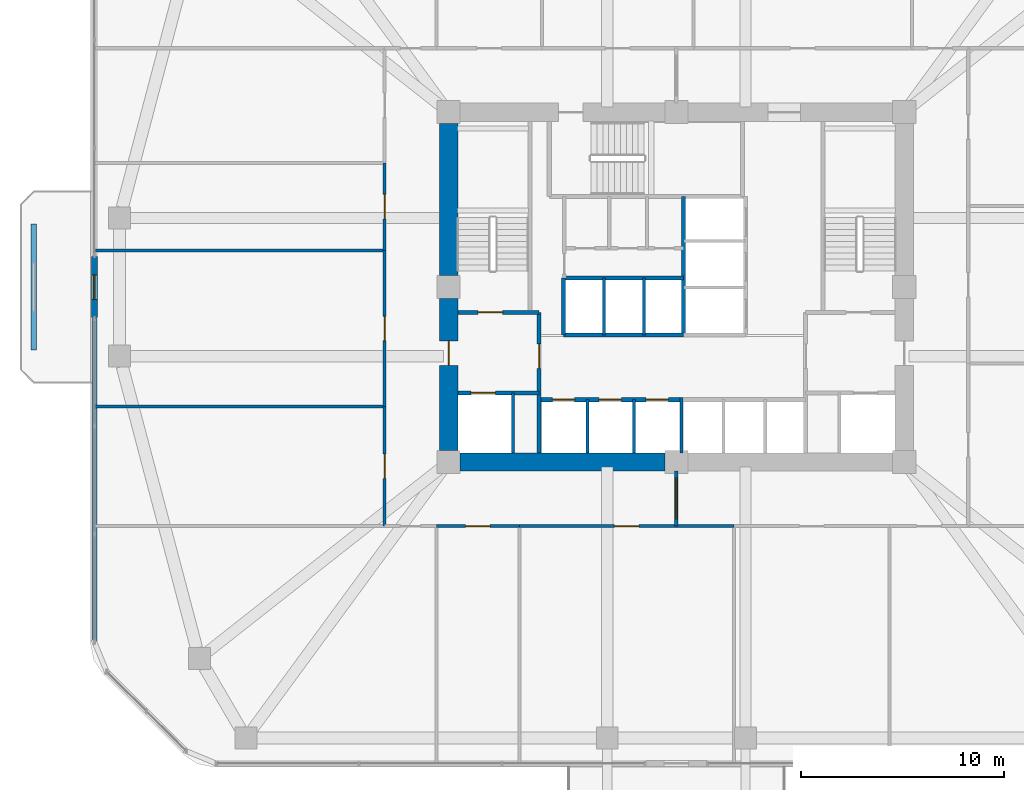
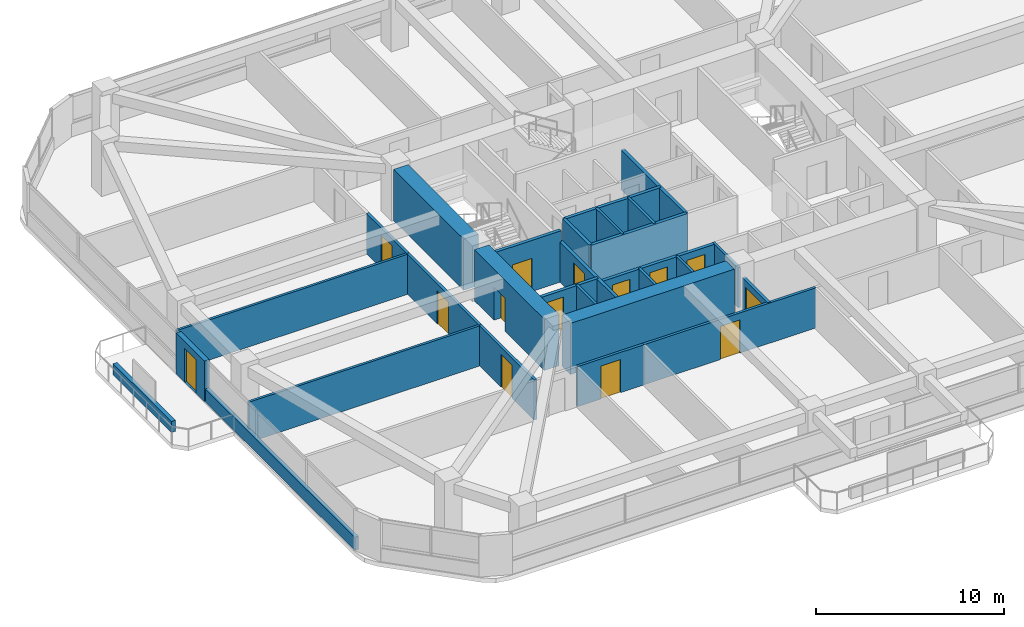
# One storey, part 9 of 13: 28 walls, 14 doors, 14 openings.
"""IFC4 building model written with IfcOpenShell, lengths in metres."""

from ifc_helpers import new_model, si_unit, derived_unit, direction, frame, frame_2d, origin, place, context, subcontext, project, spatial, rectangle, extrude, material, layer, layer_set, type_object, element, fill, save


model = new_model("IFC4")

# Units and contexts
model_context = context("Model", 3, precision=1e-05, world=origin(), true_north=direction((0.0, 1.0)))
body_context = subcontext(model_context, "Body", "Model", "MODEL_VIEW")
ifc_project = project(units=[si_unit("LENGTHUNIT", "METRE"), si_unit("AREAUNIT", "SQUARE_METRE"), si_unit("VOLUMEUNIT", "CUBIC_METRE"), si_unit("PLANEANGLEUNIT", "RADIAN"), si_unit("MASSUNIT", "GRAM", prefix="KILO"), derived_unit("THERMALTRANSMITTANCEUNIT", [(si_unit("POWERUNIT", "WATT"), 1), (si_unit("LENGTHUNIT", "METRE"), -2), (si_unit("THERMODYNAMICTEMPERATUREUNIT", "KELVIN"), -1)])], contexts=[model_context])

# Site, building, storey
site_placement = place(None, origin())
site = spatial("IfcSite", under=ifc_project, at=site_placement, CompositionType="ELEMENT")
building_placement = place(site_placement, origin())
building = spatial("IfcBuilding", under=site, at=building_placement, Name="Koralith Skygarden Medical Center", CompositionType="ELEMENT")
storey_placement = place(building_placement, frame((0.0, 0.0, 49.139892578125)))
storey = spatial("IfcBuildingStorey", under=building, at=storey_placement, Name="L12", CompositionType="ELEMENT", Elevation=49.139892578125)

# Walls
ifc_material_1 = material(Name="Gypsum Board Partition")
ifc_layer_1 = layer(ifc_material_1, 0.14990234375)
ifc_layer_set_1 = layer_set([ifc_layer_1], Name="Gypsum Board Partition")
wall_type_1 = type_object("IfcWallType", Name="Clinical Acoustic Partition 150", PredefinedType="PARTITIONING", material=ifc_layer_set_1)
for number, where, z_axis, x_axis, name in (
    (1, (22.64990234375, 20.02490234375, 0.0), (0.0, 0.0, 1.0), (-1.0, 0.0, 0.0), "L12 Clinical Acoustic Partition 150 W-PART-L12-W-01"),
    (2, (22.64990234375, 27.699951171875, 0.0), (0.0, 0.0, 1.0), (-1.0, 0.0, 0.0), "L12 Clinical Acoustic Partition 150 W-PART-L12-W-02"),
):
    element("IfcWall", number, at=place(storey_placement, frame(where, z_axis=z_axis, x_axis=x_axis)), inside=storey, type_object=wall_type_1, Name=name, PredefinedType="PARTITIONING", context=body_context, shape_type="SweptSolid", body=[
        extrude(rectangle(XDim=14.25, YDim=0.14990234375, at=frame_2d((7.125, 0.0))), origin(), (0.0, 0.0, 1.0), 2.610107421875),
    ])

# Wall, opening, door
ifc_layer_2 = layer(ifc_material_1, 0.1650390625)
ifc_layer_set_2 = layer_set([ifc_layer_2], Name="Gypsum Board Partition")
wall_type_2 = type_object("IfcWallType", Name="Clinical Corridor Partition 165", PredefinedType="PARTITIONING", material=ifc_layer_set_2)
wall_1_placement = place(storey_placement, frame((25.199951171875, 14.14990234375, 0.0), z_axis=(0.0, 0.0, 1.0), x_axis=(1.0, 0.0, 0.0)))
wall_1 = element("IfcWall", 3, at=wall_1_placement, inside=storey, type_object=wall_type_2, Name="L12 Clinical Corridor Partition 165 W-CORR-L12-S-02", PredefinedType="PARTITIONING", context=body_context, shape_type="SweptSolid", body=[
    extrude(rectangle(XDim=4.078125, YDim=0.1650390625, at=frame_2d((2.0390625, 0.0))), origin(), (0.0, 0.0, 1.0), 2.610107421875),
])
opening_1_placement = place(wall_1_placement, frame((1.43896484375, 0.0, 0.0)))
opening_1 = element("IfcOpeningElement", 4, at=opening_1_placement, cuts=wall_1, Name="Opening D-CLN", PredefinedType="OPENING", context=body_context, shape_type="SweptSolid", body=[
    extrude(rectangle(XDim=1.199951171875, YDim=2.14990234375, at=frame_2d((0.60009765625, 1.074951171875))), frame((0.0, 0.092529296875, 0.0), z_axis=(0.0, -1.0, 0.0), x_axis=(1.0, 0.0, 0.0)), (0.0, 0.0, 1.0), 0.18505859375),
])
ifc_material_2 = material(Name="Aluminium 6063-T6", Category="aluminium")
door_type_1 = type_object("IfcDoorType", Name="Clinical Corridor Door D-CLN 1200", OperationType="NOTDEFINED", PredefinedType="DOOR", material=ifc_material_2)
door_1_placement = place(opening_1_placement, frame((1.199951171875, 0.0, 0.0), z_axis=(0.0, 0.0, 1.0), x_axis=(-1.0, 0.0, 0.0)))
door_1 = element("IfcDoor", 5, at=door_1_placement, inside=storey, type_object=door_type_1, Name="L12 Hospitality Beverage Pantry 07 Door", OperationType="SINGLE_SWING_RIGHT", OverallHeight=2.14990234375, OverallWidth=1.199951171875, PredefinedType="DOOR", context=body_context, shape_type="SweptSolid", body=[
    extrude(rectangle(XDim=1.199951171875, YDim=2.14990234375, at=frame_2d((0.60009765625, 1.074951171875))), frame((0.0, 0.02490234375, 0.0), z_axis=(0.0, -1.0, 0.0), x_axis=(1.0, 0.0, 0.0)), (0.0, 0.0, 1.0), 0.050048828125),
])
fill(opening_1, door_1)

wall_2_placement = place(storey_placement, frame((29.278076171875, 14.14990234375, 0.0), z_axis=(0.0, 0.0, 1.0), x_axis=(1.0, 0.0, 0.0)))
wall_2 = element("IfcWall", 6, at=wall_2_placement, inside=storey, type_object=wall_type_2, Name="L12 Clinical Corridor Partition 165 W-CORR-L12-S-03", PredefinedType="PARTITIONING", context=body_context, shape_type="SweptSolid", body=[
    extrude(rectangle(XDim=10.556884765625, YDim=0.1650390625, at=frame_2d((5.2783203125, 0.0))), origin(), (0.0, 0.0, 1.0), 2.610107421875),
])
opening_2_placement = place(wall_2_placement, frame((4.678955078125, 0.0, 0.0)))
opening_2 = element("IfcOpeningElement", 7, at=opening_2_placement, cuts=wall_2, Name="Opening D-CLN", PredefinedType="OPENING", context=body_context, shape_type="SweptSolid", body=[
    extrude(rectangle(XDim=1.199951171875, YDim=2.14990234375, at=frame_2d((0.60009765625, 1.074951171875))), frame((0.0, 0.092529296875, 0.0), z_axis=(0.0, -1.0, 0.0), x_axis=(1.0, 0.0, 0.0)), (0.0, 0.0, 1.0), 0.18505859375),
])
door_2_placement = place(opening_2_placement, frame((1.199951171875, 0.0, 0.0), z_axis=(0.0, 0.0, 1.0), x_axis=(-1.0, 0.0, 0.0)))
door_2 = element("IfcDoor", 8, at=door_2_placement, inside=storey, type_object=door_type_1, Name="L12 Patient and Family Sky-Garden Day Lounge 08 Door", OperationType="SINGLE_SWING_LEFT", OverallHeight=2.14990234375, OverallWidth=1.199951171875, PredefinedType="DOOR", context=body_context, shape_type="SweptSolid", body=[
    extrude(rectangle(XDim=1.199951171875, YDim=2.14990234375, at=frame_2d((0.60009765625, 1.074951171875))), frame((0.0, 0.02490234375, 0.0), z_axis=(0.0, -1.0, 0.0), x_axis=(1.0, 0.0, 0.0)), (0.0, 0.0, 1.0), 0.050048828125),
])
fill(opening_2, door_2)

wall_3_placement = place(storey_placement, frame((22.64990234375, 14.14990234375, 0.0), z_axis=(0.0, 0.0, 1.0), x_axis=(0.0, 1.0, 0.0)))
wall_3 = element("IfcWall", 9, at=wall_3_placement, inside=storey, type_object=wall_type_2, Name="L12 Clinical Corridor Partition 165 W-CORR-L12-W-01", PredefinedType="PARTITIONING", context=body_context, shape_type="SweptSolid", body=[
    extrude(rectangle(XDim=5.875, YDim=0.1650390625, at=frame_2d((2.9375, 0.0))), origin(), (0.0, 0.0, 1.0), 2.610107421875),
])
opening_3_placement = place(wall_3_placement, frame((2.3369140625, 0.0, 0.0)))
opening_3 = element("IfcOpeningElement", 10, at=opening_3_placement, cuts=wall_3, Name="Opening D-CLN", PredefinedType="OPENING", context=body_context, shape_type="SweptSolid", body=[
    extrude(rectangle(XDim=1.199951171875, YDim=2.14990234375, at=frame_2d((0.60009765625, 1.074951171875))), frame((0.0, 0.092529296875, 0.0), z_axis=(0.0, -1.0, 0.0), x_axis=(1.0, 0.0, 0.0)), (0.0, 0.0, 1.0), 0.18505859375),
])
door_3_placement = place(opening_3_placement, frame((1.199951171875, 0.0, 0.0), z_axis=(0.0, 0.0, 1.0), x_axis=(-1.0, 0.0, 0.0)))
door_3 = element("IfcDoor", 11, at=door_3_placement, inside=storey, type_object=door_type_1, Name="L12 Grand Rounds Conference Room 11 Door", OperationType="SINGLE_SWING_RIGHT", OverallHeight=2.14990234375, OverallWidth=1.199951171875, PredefinedType="DOOR", context=body_context, shape_type="SweptSolid", body=[
    extrude(rectangle(XDim=1.199951171875, YDim=2.14990234375, at=frame_2d((0.60009765625, 1.074951171875))), frame((0.0, 0.02490234375, 0.0), z_axis=(0.0, -1.0, 0.0), x_axis=(1.0, 0.0, 0.0)), (0.0, 0.0, 1.0), 0.050048828125),
])
fill(opening_3, door_3)

wall_4_placement = place(storey_placement, frame((22.64990234375, 20.02490234375, 0.0), z_axis=(0.0, 0.0, 1.0), x_axis=(0.0, 1.0, 0.0)))
wall_4 = element("IfcWall", 12, at=wall_4_placement, inside=storey, type_object=wall_type_2, Name="L12 Clinical Corridor Partition 165 W-CORR-L12-W-02", PredefinedType="PARTITIONING", context=body_context, shape_type="SweptSolid", body=[
    extrude(rectangle(XDim=7.675048828125, YDim=0.1650390625, at=frame_2d((3.83740234375, 0.0))), origin(), (0.0, 0.0, 1.0), 2.610107421875),
])
opening_4_placement = place(wall_4_placement, frame((3.238037109375, 0.0, 0.0)))
opening_4 = element("IfcOpeningElement", 13, at=opening_4_placement, cuts=wall_4, Name="Opening D-CLN", PredefinedType="OPENING", context=body_context, shape_type="SweptSolid", body=[
    extrude(rectangle(XDim=1.199951171875, YDim=2.14990234375, at=frame_2d((0.60009765625, 1.074951171875))), frame((0.0, 0.092529296875, 0.0), z_axis=(0.0, -1.0, 0.0), x_axis=(1.0, 0.0, 0.0)), (0.0, 0.0, 1.0), 0.18505859375),
])
door_4_placement = place(opening_4_placement, frame((1.199951171875, 0.0, 0.0), z_axis=(0.0, 0.0, 1.0), x_axis=(-1.0, 0.0, 0.0)))
door_4 = element("IfcDoor", 14, at=door_4_placement, inside=storey, type_object=door_type_1, Name="L12 Patient and Family Sky-Garden Day Lounge 12 Door", OperationType="SINGLE_SWING_LEFT", OverallHeight=2.14990234375, OverallWidth=1.199951171875, PredefinedType="DOOR", context=body_context, shape_type="SweptSolid", body=[
    extrude(rectangle(XDim=1.199951171875, YDim=2.14990234375, at=frame_2d((0.60009765625, 1.074951171875))), frame((0.0, 0.02490234375, 0.0), z_axis=(0.0, -1.0, 0.0), x_axis=(1.0, 0.0, 0.0)), (0.0, 0.0, 1.0), 0.050048828125),
])
fill(opening_4, door_4)

wall_5_placement = place(storey_placement, frame((22.64990234375, 27.699951171875, 0.0), z_axis=(0.0, 0.0, 1.0), x_axis=(0.0, 1.0, 0.0)))
wall_5 = element("IfcWall", 15, at=wall_5_placement, inside=storey, type_object=wall_type_2, Name="L12 Clinical Corridor Partition 165 W-CORR-L12-W-03", PredefinedType="PARTITIONING", context=body_context, shape_type="SweptSolid", body=[
    extrude(rectangle(XDim=4.31005859375, YDim=0.1650390625, at=frame_2d((2.155029296875, 0.0))), origin(), (0.0, 0.0, 1.0), 2.610107421875),
])
opening_5_placement = place(wall_5_placement, frame((1.554931640625, 0.0, 0.0)))
opening_5 = element("IfcOpeningElement", 16, at=opening_5_placement, cuts=wall_5, Name="Opening D-CLN", PredefinedType="OPENING", context=body_context, shape_type="SweptSolid", body=[
    extrude(rectangle(XDim=1.199951171875, YDim=2.14990234375, at=frame_2d((0.60009765625, 1.074951171875))), frame((0.0, 0.092529296875, 0.0), z_axis=(0.0, -1.0, 0.0), x_axis=(1.0, 0.0, 0.0)), (0.0, 0.0, 1.0), 0.18505859375),
])
door_5_placement = place(opening_5_placement, frame((1.199951171875, 0.0, 0.0), z_axis=(0.0, 0.0, 1.0), x_axis=(-1.0, 0.0, 0.0)))
door_5 = element("IfcDoor", 17, at=door_5_placement, inside=storey, type_object=door_type_1, Name="L12 Hospitality Beverage Pantry 13 Door", OperationType="SINGLE_SWING_RIGHT", OverallHeight=2.14990234375, OverallWidth=1.199951171875, PredefinedType="DOOR", context=body_context, shape_type="SweptSolid", body=[
    extrude(rectangle(XDim=1.199951171875, YDim=2.14990234375, at=frame_2d((0.60009765625, 1.074951171875))), frame((0.0, 0.02490234375, 0.0), z_axis=(0.0, -1.0, 0.0), x_axis=(1.0, 0.0, 0.0)), (0.0, 0.0, 1.0), 0.050048828125),
])
fill(opening_5, door_5)

ifc_layer_3 = layer(ifc_material_1, 0.199951171875)
ifc_layer_set_3 = layer_set([ifc_layer_3], Name="Gypsum Board Partition")
wall_type_3 = type_object("IfcWallType", Name="Fire Shaft Wall 200", PredefinedType="SOLIDWALL", material=ifc_layer_set_3)
wall_6_placement = place(storey_placement, frame((26.25, 20.699951171875, 0.0), z_axis=(0.0, 0.0, 1.0), x_axis=(1.0, 0.0, 0.0)))
wall_6 = element("IfcWall", 18, at=wall_6_placement, inside=storey, type_object=wall_type_3, Name="L12 Fire Shaft Wall 200 W-CORE-L12-FF1-N", PredefinedType="SOLIDWALL", context=body_context, shape_type="SweptSolid", body=[
    extrude(rectangle(XDim=4.0, YDim=0.199951171875, at=frame_2d((2.0, 0.0))), origin(), (0.0, 0.0, 1.0), 2.610107421875),
])
opening_6_placement = place(wall_6_placement, frame((0.64990234375, 0.0, 0.0)))
opening_6 = element("IfcOpeningElement", 19, at=opening_6_placement, cuts=wall_6, Name="Opening LD-FF", PredefinedType="OPENING", context=body_context, shape_type="SweptSolid", body=[
    extrude(rectangle(XDim=1.199951171875, YDim=2.14990234375, at=frame_2d((0.60009765625, 1.074951171875))), frame((0.0, 0.10986328125, 0.0), z_axis=(0.0, -1.0, 0.0), x_axis=(1.0, 0.0, 0.0)), (0.0, 0.0, 1.0), 0.219970703125),
])
ifc_material_3 = material(Name="Steel ASTM A500 Grade C", Category="steel")
door_type_2 = type_object("IfcDoorType", Name="Fire Lift Sliding Landing Door LD-FF 1200", OperationType="NOTDEFINED", PredefinedType="DOOR", material=ifc_material_3)
door_6_placement = place(opening_6_placement, origin())
door_6 = element("IfcDoor", 20, at=door_6_placement, inside=storey, type_object=door_type_2, Name="L12 Fire Service Elevator FF1 Landing Door", OperationType="SLIDING_TO_LEFT", OverallHeight=2.14990234375, OverallWidth=1.199951171875, PredefinedType="DOOR", context=body_context, shape_type="SweptSolid", body=[
    extrude(rectangle(XDim=1.199951171875, YDim=2.14990234375, at=frame_2d((0.60009765625, 1.074951171875))), frame((0.0, 0.02490234375, 0.0), z_axis=(0.0, -1.0, 0.0), x_axis=(1.0, 0.0, 0.0)), (0.0, 0.0, 1.0), 0.050048828125),
])
fill(opening_6, door_6)

wall_7_placement = place(storey_placement, frame((30.25, 17.75, 0.0), z_axis=(0.0, 0.0, 1.0), x_axis=(0.0, 1.0, 0.0)))
wall_7 = element("IfcWall", 21, at=wall_7_placement, inside=storey, type_object=wall_type_3, Name="L12 Fire Shaft Wall 200 W-CORE-L12-FSAEW-E", PredefinedType="SOLIDWALL", context=body_context, shape_type="SweptSolid", body=[
    extrude(rectangle(XDim=6.89990234375, YDim=0.199951171875, at=frame_2d((3.449951171875, 0.0))), origin(), (0.0, 0.0, 1.0), 2.610107421875),
])
opening_7_placement = place(wall_7_placement, frame((4.14990234375, 0.0, 0.0)))
opening_7 = element("IfcOpeningElement", 22, at=opening_7_placement, cuts=wall_7, Name="Opening D-ST60", PredefinedType="OPENING", context=body_context, shape_type="SweptSolid", body=[
    extrude(rectangle(XDim=1.199951171875, YDim=2.14990234375, at=frame_2d((0.60009765625, 1.074951171875))), frame((0.0, 0.10986328125, 0.0), z_axis=(0.0, -1.0, 0.0), x_axis=(1.0, 0.0, 0.0)), (0.0, 0.0, 1.0), 0.219970703125),
])
door_type_3 = type_object("IfcDoorType", Name="Smokeproof Stair Fire Door FD60S 1200", OperationType="NOTDEFINED", PredefinedType="DOOR", material=ifc_material_3)
door_7_placement = place(opening_7_placement, origin())
door_7 = element("IfcDoor", 23, at=door_7_placement, inside=storey, type_object=door_type_3, Name="L12 West Firefighting Lobby Inner Fire Door", OperationType="SINGLE_SWING_LEFT", OverallHeight=2.14990234375, OverallWidth=1.199951171875, PredefinedType="DOOR", context=body_context, shape_type="SweptSolid", body=[
    extrude(rectangle(XDim=1.199951171875, YDim=2.14990234375, at=frame_2d((0.60009765625, 1.074951171875))), frame((0.0, 0.02490234375, 0.0), z_axis=(0.0, -1.0, 0.0), x_axis=(1.0, 0.0, 0.0)), (0.0, 0.0, 1.0), 0.050048828125),
])
fill(opening_7, door_7)

# Wall, openings, doors
wall_8_placement = place(storey_placement, frame((30.25, 20.360107421875, 0.0), z_axis=(0.0, 0.0, 1.0), x_axis=(1.0, 0.0, 0.0)))
wall_8 = element("IfcWall", 24, at=wall_8_placement, inside=storey, type_object=wall_type_3, Name="L12 Fire Shaft Wall 200 W-CORE-L12-PL-N", PredefinedType="SOLIDWALL", context=body_context, shape_type="SweptSolid", body=[
    extrude(rectangle(XDim=7.0, YDim=0.199951171875, at=frame_2d((3.5, 0.0))), origin(), (0.0, 0.0, 1.0), 2.610107421875),
])
opening_8_placement = place(wall_8_placement, frame((0.64990234375, 0.0, 0.0)))
opening_8 = element("IfcOpeningElement", 25, at=opening_8_placement, cuts=wall_8, Name="Opening LD-P", PredefinedType="OPENING", context=body_context, shape_type="SweptSolid", body=[
    extrude(rectangle(XDim=1.10009765625, YDim=2.14990234375, at=frame_2d((0.550048828125, 1.074951171875))), frame((0.0, 0.10986328125, 0.0), z_axis=(0.0, -1.0, 0.0), x_axis=(1.0, 0.0, 0.0)), (0.0, 0.0, 1.0), 0.219970703125),
])
opening_9_placement = place(wall_8_placement, frame((2.949951171875, 0.0, 0.0)))
opening_9 = element("IfcOpeningElement", 26, at=opening_9_placement, cuts=wall_8, Name="Opening LD-P", PredefinedType="OPENING", context=body_context, shape_type="SweptSolid", body=[
    extrude(rectangle(XDim=1.10009765625, YDim=2.14990234375, at=frame_2d((0.550048828125, 1.074951171875))), frame((0.0, 0.10986328125, 0.0), z_axis=(0.0, -1.0, 0.0), x_axis=(1.0, 0.0, 0.0)), (0.0, 0.0, 1.0), 0.219970703125),
])
opening_10_placement = place(wall_8_placement, frame((5.25, 0.0, 0.0)))
opening_10 = element("IfcOpeningElement", 27, at=opening_10_placement, cuts=wall_8, Name="Opening LD-P", PredefinedType="OPENING", context=body_context, shape_type="SweptSolid", body=[
    extrude(rectangle(XDim=1.10009765625, YDim=2.14990234375, at=frame_2d((0.550048828125, 1.074951171875))), frame((0.0, 0.10986328125, 0.0), z_axis=(0.0, -1.0, 0.0), x_axis=(1.0, 0.0, 0.0)), (0.0, 0.0, 1.0), 0.219970703125),
])
door_type_4 = type_object("IfcDoorType", Name="Passenger Lift Sliding Landing Door LD-P 1100", OperationType="NOTDEFINED", PredefinedType="DOOR", material=ifc_material_3)
door_8_placement = place(opening_8_placement, origin())
door_8 = element("IfcDoor", 28, at=door_8_placement, inside=storey, type_object=door_type_4, Name="L12 Passenger Elevator PL1 Landing Door", OperationType="SLIDING_TO_LEFT", OverallHeight=2.14990234375, OverallWidth=1.10009765625, PredefinedType="DOOR", context=body_context, shape_type="SweptSolid", body=[
    extrude(rectangle(XDim=1.10009765625, YDim=2.14990234375, at=frame_2d((0.550048828125, 1.074951171875))), frame((0.0, 0.02490234375, 0.0), z_axis=(0.0, -1.0, 0.0), x_axis=(1.0, 0.0, 0.0)), (0.0, 0.0, 1.0), 0.050048828125),
])
fill(opening_8, door_8)
door_9_placement = place(opening_9_placement, origin())
door_9 = element("IfcDoor", 29, at=door_9_placement, inside=storey, type_object=door_type_4, Name="L12 Passenger Elevator PL2 Landing Door", OperationType="SLIDING_TO_LEFT", OverallHeight=2.14990234375, OverallWidth=1.10009765625, PredefinedType="DOOR", context=body_context, shape_type="SweptSolid", body=[
    extrude(rectangle(XDim=1.10009765625, YDim=2.14990234375, at=frame_2d((0.550048828125, 1.074951171875))), frame((0.0, 0.02490234375, 0.0), z_axis=(0.0, -1.0, 0.0), x_axis=(1.0, 0.0, 0.0)), (0.0, 0.0, 1.0), 0.050048828125),
])
fill(opening_9, door_9)
door_10_placement = place(opening_10_placement, origin())
door_10 = element("IfcDoor", 30, at=door_10_placement, inside=storey, type_object=door_type_4, Name="L12 Passenger Elevator PL3 Landing Door", OperationType="SLIDING_TO_LEFT", OverallHeight=2.14990234375, OverallWidth=1.10009765625, PredefinedType="DOOR", context=body_context, shape_type="SweptSolid", body=[
    extrude(rectangle(XDim=1.10009765625, YDim=2.14990234375, at=frame_2d((0.550048828125, 1.074951171875))), frame((0.0, 0.02490234375, 0.0), z_axis=(0.0, -1.0, 0.0), x_axis=(1.0, 0.0, 0.0)), (0.0, 0.0, 1.0), 0.050048828125),
])
fill(opening_10, door_10)

# Walls
for number, where, z_axis, x_axis, name in (
    (31, (31.449951171875, 23.5400390625, 0.0), (0.0, 0.0, 1.0), (1.0, 0.0, 0.0), "L12 Fire Shaft Wall 200 W-CORE-L12-PH-S"),
    (32, (31.449951171875, 26.35009765625, 0.0), (0.0, 0.0, 1.0), (1.0, 0.0, 0.0), "L12 Fire Shaft Wall 200 W-CORE-L12-PH-N"),
):
    element("IfcWall", number, at=place(storey_placement, frame(where, z_axis=z_axis, x_axis=x_axis)), inside=storey, type_object=wall_type_3, Name=name, PredefinedType="SOLIDWALL", context=body_context, shape_type="SweptSolid", body=[
        extrude(rectangle(XDim=5.900146484375, YDim=0.199951171875, at=frame_2d((2.9501953125, 0.0))), origin(), (0.0, 0.0, 1.0), 2.610107421875),
    ])
wall_9_placement = place(storey_placement, frame((31.449951171875, 23.5400390625, 0.0), z_axis=(0.0, 0.0, 1.0), x_axis=(0.0, 1.0, 0.0)))
element("IfcWall", 33, at=wall_9_placement, inside=storey, type_object=wall_type_3, Name="L12 Fire Shaft Wall 200 W-CORE-L12-PH-W", PredefinedType="SOLIDWALL", context=body_context, shape_type="SweptSolid", body=[
    extrude(rectangle(XDim=2.81005859375, YDim=0.199951171875, at=frame_2d((1.405029296875, 0.0))), origin(), (0.0, 0.0, 1.0), 2.610107421875),
])
wall_10_placement = place(storey_placement, frame((37.35009765625, 23.5400390625, 0.0), z_axis=(0.0, 0.0, 1.0), x_axis=(0.0, 1.0, 0.0)))
element("IfcWall", 34, at=wall_10_placement, inside=storey, type_object=wall_type_3, Name="L12 Fire Shaft Wall 200 W-CORE-L12-SV-W", PredefinedType="SOLIDWALL", context=body_context, shape_type="SweptSolid", body=[
    extrude(rectangle(XDim=6.820068359375, YDim=0.199951171875, at=frame_2d((3.41015625, 0.0))), origin(), (0.0, 0.0, 1.0), 2.610107421875),
])

# Wall, opening, door
ifc_layer_4 = layer(ifc_material_1, 0.179931640625)
ifc_layer_set_4 = layer_set([ifc_layer_4], Name="Gypsum Board Partition")
wall_type_4 = type_object("IfcWallType", Name="Group I-2 Smoke Barrier Wall 180", PredefinedType="PARTITIONING", material=ifc_layer_set_4)
wall_11_placement = place(storey_placement, frame((37.0, 14.14990234375, 0.0), z_axis=(0.0, 0.0, 1.0), x_axis=(0.0, 1.0, 0.0)))
wall_11 = element("IfcWall", 35, at=wall_11_placement, inside=storey, type_object=wall_type_4, Name="L12 Group I-2 Smoke Barrier Wall 180 W-SMK-L12-S", PredefinedType="PARTITIONING", context=body_context, shape_type="SweptSolid", body=[
    extrude(rectangle(XDim=2.7001953125, YDim=0.179931640625, at=frame_2d((1.35009765625, 0.0))), origin(), (0.0, 0.0, 1.0), 2.610107421875),
])
opening_11_placement = place(wall_11_placement, frame((0.35009765625, 0.0, 0.0)))
opening_11 = element("IfcOpeningElement", 36, at=opening_11_placement, cuts=wall_11, Name="Opening D-SMK", PredefinedType="OPENING", context=body_context, shape_type="SweptSolid", body=[
    extrude(rectangle(XDim=2.0, YDim=2.199951171875, at=frame_2d((1.0, 1.10009765625))), frame((0.0, 0.099853515625, 0.0), z_axis=(0.0, -1.0, 0.0), x_axis=(1.0, 0.0, 0.0)), (0.0, 0.0, 1.0), 0.199951171875),
])
door_type_5 = type_object("IfcDoorType", Name="Cross-Corridor Double Smoke Door FD60S 2000", OperationType="NOTDEFINED", PredefinedType="DOOR", material=ifc_material_3)
door_11_placement = place(opening_11_placement, frame((2.0, 0.0, 0.0), z_axis=(0.0, 0.0, 1.0), x_axis=(-1.0, 0.0, 0.0)))
door_11 = element("IfcDoor", 37, at=door_11_placement, inside=storey, type_object=door_type_5, Name="L12 S Smoke Compartment Cross-Corridor Door", OperationType="DOUBLE_DOOR_SINGLE_SWING", OverallHeight=2.199951171875, OverallWidth=2.0, PredefinedType="DOOR", context=body_context, shape_type="SweptSolid", body=[
    extrude(rectangle(XDim=2.0, YDim=2.199951171875, at=frame_2d((1.0, 1.10009765625))), frame((0.0, 0.02490234375, 0.0), z_axis=(0.0, -1.0, 0.0), x_axis=(1.0, 0.0, 0.0)), (0.0, 0.0, 1.0), 0.050048828125),
])
fill(opening_11, door_11)

# Walls
ifc_material_4 = material(Name="Warm Oolitic Limestone Cladding", Category="masonry")
ifc_layer_5 = layer(ifc_material_4, 0.239990234375)
ifc_layer_set_5 = layer_set([ifc_layer_5], Name="Warm Oolitic Limestone Cladding")
wall_type_5 = type_object("IfcWallType", Name="Limestone Spandrel Sill Backup Wall 240", PredefinedType="SOLIDWALL", material=ifc_layer_set_5)
wall_12_placement = place(storey_placement, frame((8.3798828125, 24.360107421875, 0.0), z_axis=(0.0, 0.0, 1.0), x_axis=(0.0, -1.0, 0.0)))
element("IfcWall", 38, at=wall_12_placement, inside=storey, type_object=wall_type_5, Name="L12 Sill Spandrel W-R", PredefinedType="SOLIDWALL", context=body_context, shape_type="SweptSolid", body=[
    extrude(rectangle(XDim=15.905029296875, YDim=0.239990234375, at=frame_2d((7.95263671875, 0.0))), origin(), (0.0, 0.0, 1.0), 0.85009765625),
])
ifc_material_5 = material(Name="Concrete C70/85", Category="concrete")
ifc_layer_6 = layer(ifc_material_5, 0.89990234375)
ifc_layer_set_6 = layer_set([ifc_layer_6], Name="Concrete C70/85")
wall_type_6 = type_object("IfcWallType", Name="Lower Core Shear Wall 900", PredefinedType="SHEAR", material=ifc_layer_set_6)
wall_13_placement = place(storey_placement, frame((26.364990234375, 17.300048828125, 0.0), z_axis=(0.0, 0.0, 1.0), x_axis=(1.0, 0.0, 0.0)))
element("IfcWall", 39, at=wall_13_placement, inside=storey, type_object=wall_type_6, Name="L12 Core Shear Wall Segment 1", PredefinedType="SHEAR", context=body_context, shape_type="SweptSolid", body=[
    extrude(rectangle(XDim=10.070068359375, YDim=0.89990234375, at=frame_2d((5.03515625, 0.0))), origin(), (0.0, 0.0, 1.0), 3.320068359375),
])
wall_14_placement = place(storey_placement, frame((25.800048828125, 33.93505859375, 0.0), z_axis=(0.0, 0.0, 1.0), x_axis=(0.0, -1.0, 0.0)))
element("IfcWall", 40, at=wall_14_placement, inside=storey, type_object=wall_type_6, Name="L12 Core Shear Wall Segment 7", PredefinedType="SHEAR", context=body_context, shape_type="SweptSolid", body=[
    extrude(rectangle(XDim=7.469970703125, YDim=0.89990234375, at=frame_2d((3.73486328125, 0.0))), origin(), (0.0, 0.0, 1.0), 3.320068359375),
])

# Wall, opening, door
wall_15_placement = place(storey_placement, frame((25.800048828125, 25.3349609375, 0.0), z_axis=(0.0, 0.0, 1.0), x_axis=(0.0, -1.0, 0.0)))
wall_15 = element("IfcWall", 41, at=wall_15_placement, inside=storey, type_object=wall_type_6, Name="L12 Core Shear Wall Segment 8", PredefinedType="SHEAR", context=body_context, shape_type="SweptSolid", body=[
    extrude(rectangle(XDim=7.469970703125, YDim=0.89990234375, at=frame_2d((3.73486328125, 0.0))), origin(), (0.0, 0.0, 1.0), 3.320068359375),
])
opening_12_placement = place(wall_15_placement, frame((2.0849609375, 0.0, 0.0)))
opening_12 = element("IfcOpeningElement", 42, at=opening_12_placement, cuts=wall_15, Name="Opening D-ST60", PredefinedType="OPENING", context=body_context, shape_type="SweptSolid", body=[
    extrude(rectangle(XDim=1.199951171875, YDim=2.14990234375, at=frame_2d((0.60009765625, 1.074951171875))), frame((0.0, 0.4599609375, 0.0), z_axis=(0.0, -1.0, 0.0), x_axis=(1.0, 0.0, 0.0)), (0.0, 0.0, 1.0), 0.919921875),
])
door_12_placement = place(opening_12_placement, frame((1.199951171875, 0.0, 0.0), z_axis=(0.0, 0.0, 1.0), x_axis=(-1.0, 0.0, 0.0)))
door_12 = element("IfcDoor", 43, at=door_12_placement, inside=storey, type_object=door_type_3, Name="L12 West Corridor to Firefighting Lobby Door", OperationType="SINGLE_SWING_LEFT", OverallHeight=2.14990234375, OverallWidth=1.199951171875, PredefinedType="DOOR", context=body_context, shape_type="SweptSolid", body=[
    extrude(rectangle(XDim=1.199951171875, YDim=2.14990234375, at=frame_2d((0.60009765625, 1.074951171875))), frame((0.0, 0.02490234375, 0.0), z_axis=(0.0, -1.0, 0.0), x_axis=(1.0, 0.0, 0.0)), (0.0, 0.0, 1.0), 0.050048828125),
])
fill(opening_12, door_12)

ifc_layer_7 = layer(ifc_material_4, 0.300048828125)
ifc_layer_set_7 = layer_set([ifc_layer_7], Name="Warm Oolitic Limestone Cladding")
wall_type_7 = type_object("IfcWallType", Name="Oolitic Limestone Insulated Facade Wall 300", PredefinedType="SOLIDWALL", material=ifc_layer_set_7)
wall_16_placement = place(storey_placement, frame((8.3798828125, 27.39990234375, 0.0), z_axis=(0.0, 0.0, 1.0), x_axis=(0.0, -1.0, 0.0)))
wall_16 = element("IfcWall", 44, at=wall_16_placement, inside=storey, type_object=wall_type_7, Name="L12 Terrace Portal Wall W", PredefinedType="SOLIDWALL", context=body_context, shape_type="SweptSolid", body=[
    extrude(rectangle(XDim=3.0, YDim=0.300048828125, at=frame_2d((1.5, 0.0))), origin(), (0.0, 0.0, 1.0), 2.650146484375),
])
opening_13_placement = place(wall_16_placement, frame((0.89990234375, 0.0, 0.0)))
opening_13 = element("IfcOpeningElement", 45, at=opening_13_placement, cuts=wall_16, Name="Opening D-BAL", PredefinedType="OPENING", context=body_context, shape_type="SweptSolid", body=[
    extrude(rectangle(XDim=1.199951171875, YDim=2.199951171875, at=frame_2d((0.60009765625, 1.10009765625))), frame((0.0, 0.159912109375, 0.0), z_axis=(0.0, -1.0, 0.0), x_axis=(1.0, 0.0, 0.0)), (0.0, 0.0, 1.0), 0.320068359375),
])
door_type_6 = type_object("IfcDoorType", Name="Planted Balcony Glazed Terrace Door D-BAL 1200", OperationType="NOTDEFINED", PredefinedType="DOOR", material=ifc_material_2)
door_13_placement = place(opening_13_placement, origin())
door_13 = element("IfcDoor", 46, at=door_13_placement, inside=storey, type_object=door_type_6, Name="L12 W Outdoor Terrace Access Door", OperationType="SINGLE_SWING_LEFT", OverallHeight=2.199951171875, OverallWidth=1.199951171875, PredefinedType="DOOR", context=body_context, shape_type="SweptSolid", body=[
    extrude(rectangle(XDim=1.199951171875, YDim=2.199951171875, at=frame_2d((0.60009765625, 1.10009765625))), frame((0.0, 0.02490234375, 0.0), z_axis=(0.0, -1.0, 0.0), x_axis=(1.0, 0.0, 0.0)), (0.0, 0.0, 1.0), 0.050048828125),
])
fill(opening_13, door_13)

# Walls
ifc_layer_8 = layer(ifc_material_1, 0.14990234375)
ifc_layer_set_8 = layer_set([ifc_layer_8], Name="Gypsum Board Partition")
wall_type_8 = type_object("IfcWallType", Name="Shaft Partition Wall 150", PredefinedType="PARTITIONING", material=ifc_layer_set_8)
wall_17_placement = place(storey_placement, frame((28.969970703125, 17.75, 0.0), z_axis=(0.0, 0.0, 1.0), x_axis=(0.0, 1.0, 0.0)))
element("IfcWall", 47, at=wall_17_placement, inside=storey, type_object=wall_type_8, Name="L12 Shaft Partition Wall 150 W-CORE-L12-RSRW-DIV", PredefinedType="PARTITIONING", context=body_context, shape_type="SweptSolid", body=[
    extrude(rectangle(XDim=2.949951171875, YDim=0.14990234375, at=frame_2d((1.47509765625, 0.0))), origin(), (0.0, 0.0, 1.0), 2.610107421875),
])
for number, where, z_axis, x_axis, name in (
    (48, (32.6201171875, 17.75, 0.0), (0.0, 0.0, 1.0), (0.0, 1.0, 0.0), "L12 Shaft Partition Wall 150 W-CORE-L12-PL-D1"),
    (49, (34.919921875, 17.75, 0.0), (0.0, 0.0, 1.0), (0.0, 1.0, 0.0), "L12 Shaft Partition Wall 150 W-CORE-L12-PL-D2"),
):
    element("IfcWall", number, at=place(storey_placement, frame(where, z_axis=z_axis, x_axis=x_axis)), inside=storey, type_object=wall_type_8, Name=name, PredefinedType="PARTITIONING", context=body_context, shape_type="SweptSolid", body=[
        extrude(rectangle(XDim=2.610107421875, YDim=0.14990234375, at=frame_2d((1.30517578125, 0.0))), origin(), (0.0, 0.0, 1.0), 2.610107421875),
    ])
wall_18_placement = place(storey_placement, frame((37.25, 17.75, 0.0), z_axis=(0.0, 0.0, 1.0), x_axis=(0.0, 1.0, 0.0)))
element("IfcWall", 50, at=wall_18_placement, inside=storey, type_object=wall_type_8, Name="L12 Shaft Partition Wall 150 W-CORE-L12-PL-PM-SEP", PredefinedType="PARTITIONING", context=body_context, shape_type="SweptSolid", body=[
    extrude(rectangle(XDim=2.72998046875, YDim=0.14990234375, at=frame_2d((1.364990234375, 0.0))), origin(), (0.0, 0.0, 1.0), 2.610107421875),
])
for number, where, z_axis, x_axis, name in (
    (51, (33.449951171875, 23.5400390625, 0.0), (0.0, 0.0, 1.0), (0.0, 1.0, 0.0), "L12 Shaft Partition Wall 150 W-CORE-L12-PH-D1"),
    (52, (35.39990234375, 23.5400390625, 0.0), (0.0, 0.0, 1.0), (0.0, 1.0, 0.0), "L12 Shaft Partition Wall 150 W-CORE-L12-PH-D2"),
):
    element("IfcWall", number, at=place(storey_placement, frame(where, z_axis=z_axis, x_axis=x_axis)), inside=storey, type_object=wall_type_8, Name=name, PredefinedType="PARTITIONING", context=body_context, shape_type="SweptSolid", body=[
        extrude(rectangle(XDim=2.81005859375, YDim=0.14990234375, at=frame_2d((1.405029296875, 0.0))), origin(), (0.0, 0.0, 1.0), 2.610107421875),
    ])
ifc_material_6 = material(Name="Precast concrete C40/50", Category="concrete")
ifc_layer_9 = layer(ifc_material_6, 0.25)
ifc_layer_set_9 = layer_set([ifc_layer_9], Name="Precast concrete C40/50")
wall_type_9 = type_object("IfcWallType", Name="Structural Concrete Balcony Planter Kerb 250", PredefinedType="PARAPET", material=ifc_layer_set_9)
wall_19_placement = place(storey_placement, frame((5.39990234375, 22.800048828125, 0.0), z_axis=(0.0, 0.0, 1.0), x_axis=(0.0, 1.0, 0.0)))
element("IfcWall", 53, at=wall_19_placement, inside=storey, type_object=wall_type_9, Name="L12 W Structural Tree PLANTER Box", PredefinedType="PARAPET", context=body_context, shape_type="SweptSolid", body=[
    extrude(rectangle(XDim=6.199951171875, YDim=0.25, at=frame_2d((3.10009765625, 0.0))), origin(), (0.0, 0.0, 1.0), 0.72021484375),
])

# Wall, opening, door
ifc_material_7 = material(Name="Concrete C45/55", Category="concrete")
ifc_layer_10 = layer(ifc_material_7, 0.199951171875)
ifc_layer_set_10 = layer_set([ifc_layer_10], Name="Concrete C45/55")
wall_type_10 = type_object("IfcWallType", Name="Structural Stair Shaft Wall 200", PredefinedType="SHEAR", material=ifc_layer_set_10)
wall_20_placement = place(storey_placement, frame((26.25, 24.64990234375, 0.0), z_axis=(0.0, 0.0, 1.0), x_axis=(1.0, 0.0, 0.0)))
wall_20 = element("IfcWall", 54, at=wall_20_placement, inside=storey, type_object=wall_type_10, Name="L12 Structural Stair Shaft Wall 200 W-CORE-L12-ST1-S", PredefinedType="SHEAR", context=body_context, shape_type="SweptSolid", body=[
    extrude(rectangle(XDim=4.0, YDim=0.199951171875, at=frame_2d((2.0, 0.0))), origin(), (0.0, 0.0, 1.0), 3.320068359375),
])
opening_14_placement = place(wall_20_placement, frame((1.0, 0.0, 0.0)))
opening_14 = element("IfcOpeningElement", 55, at=opening_14_placement, cuts=wall_20, Name="Opening D-ST60", PredefinedType="OPENING", context=body_context, shape_type="SweptSolid", body=[
    extrude(rectangle(XDim=1.199951171875, YDim=2.14990234375, at=frame_2d((0.60009765625, 1.074951171875))), frame((0.0, 0.10986328125, 0.0), z_axis=(0.0, -1.0, 0.0), x_axis=(1.0, 0.0, 0.0)), (0.0, 0.0, 1.0), 0.219970703125),
])
door_14_placement = place(opening_14_placement, origin())
door_14 = element("IfcDoor", 56, at=door_14_placement, inside=storey, type_object=door_type_3, Name="L12 Exit Stair ST1 Fire Door", OperationType="SINGLE_SWING_LEFT", OverallHeight=2.14990234375, OverallWidth=1.199951171875, PredefinedType="DOOR", context=body_context, shape_type="SweptSolid", body=[
    extrude(rectangle(XDim=1.199951171875, YDim=2.14990234375, at=frame_2d((0.60009765625, 1.074951171875))), frame((0.0, 0.02490234375, 0.0), z_axis=(0.0, -1.0, 0.0), x_axis=(1.0, 0.0, 0.0)), (0.0, 0.0, 1.0), 0.050048828125),
])
fill(opening_14, door_14)

save(model, "model.ifc")
